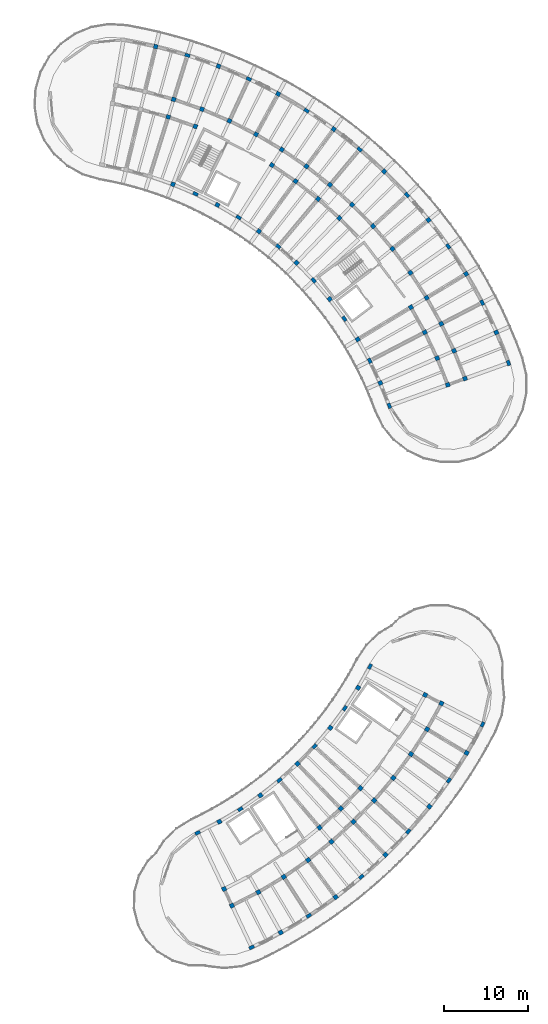
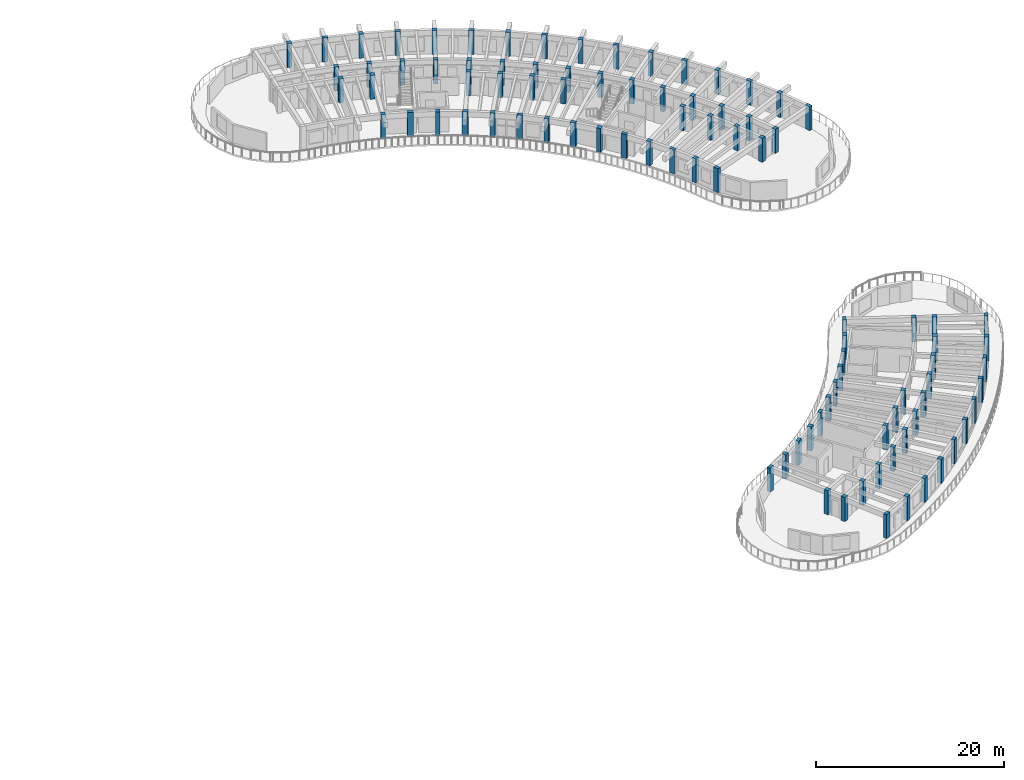
# One storey, part 2 of 56: 93 columns.
"""IFC4 building model written with IfcOpenShell, lengths in metres."""

from ifc_helpers import new_model, si_unit, direction, frame, origin, origin_2d, place, context, subcontext, project, spatial, rectangle, extrude, material, material_profile, profile_set, type_object, element, save


model = new_model("IFC4")

# Units and contexts
model_context = context("Model", 3, precision=1e-05, world=origin(), true_north=direction((0.0, 1.0)))
body_context = subcontext(model_context, "Body", "Model", "MODEL_VIEW")
ifc_project = project(units=[si_unit("LENGTHUNIT", "METRE"), si_unit("AREAUNIT", "SQUARE_METRE"), si_unit("VOLUMEUNIT", "CUBIC_METRE"), si_unit("PLANEANGLEUNIT", "RADIAN"), si_unit("MASSUNIT", "GRAM", prefix="KILO")], contexts=[model_context])

# Site, building, storey
site_placement = place(None, origin())
site = spatial("IfcSite", under=ifc_project, at=site_placement, CompositionType="ELEMENT")
building_placement = place(site_placement, origin())
building = spatial("IfcBuilding", under=site, at=building_placement, Name="Tanwirah Colonnade Gardens", CompositionType="ELEMENT")
storey_placement = place(building_placement, frame((0.0, 0.0, 29.0)))
storey = spatial("IfcBuildingStorey", under=building, at=storey_placement, Name="L08", CompositionType="ELEMENT", Elevation=29.0)

# Columns
ifc_material = material(Name="Precast concrete C40/50", Category="concrete")
ifc_material_profile_1 = material_profile(ifc_material, rectangle(XDim=0.510009765625, YDim=0.510009765625, at=origin_2d()), Name="PC-COL 510x510")
ifc_profile_set_1 = profile_set([ifc_material_profile_1], Name="Precast concrete C40/50")
column_type_1 = type_object("IfcColumnType", Name="C-PC420", PredefinedType="COLUMN", material=ifc_profile_set_1)
for number, where, z_axis, x_axis, name in (
    (1, (143.11767578125, 17.60400390625, 0.0), (0.0, 0.0, 1.0), (0.426568739901, -0.904455145454, 0.0), "Block D L08 Column 3-R1"),
    (2, (144.05615234375, 15.6142578125, 0.0), (0.0, 0.0, 1.0), (0.426568739901, -0.904455145454, 0.0), "Block D L08 Column 3-R2"),
    (3, (142.5498046875, 25.623046875, 0.0), (0.0, 0.0, 1.0), (0.484809620246, -0.874619707139, 0.0), "Block D L08 Column 4-R0"),
    (4, (147.203857421875, 17.226806640625, 0.0), (0.0, 0.0, 1.0), (0.484809620246, -0.874619707139, 0.0), "Block D L08 Column 4-R2"),
    (5, (149.870361328125, 12.41650390625, 0.0), (0.0, 0.0, 1.0), (0.484809620246, -0.874619707139, 0.0), "Block D L08 Column 4-R3"),
    (6, (150.23974609375, 19.041748046875, 0.0), (0.0, 0.0, 1.0), (0.540974471368, -0.841039012964, 0.0), "Block D L08 Column 5-R2"),
    (7, (147.43994140625, 28.7685546875, 0.0), (0.0, 0.0, 1.0), (0.594822786751, -0.803856860617, 0.0), "Block D L08 Column 6-R0"),
    (8, (153.150146484375, 21.051513671875, 0.0), (0.0, 0.0, 1.0), (0.594822786751, -0.803856860617, 0.0), "Block D L08 Column 6-R2"),
    (9, (156.421630859375, 16.63037109375, 0.0), (0.0, 0.0, 1.0), (0.594822786751, -0.803856860617, 0.0), "Block D L08 Column 6-R3"),
    (10, (154.50146484375, 24.926513671875, 0.0), (0.0, 0.0, 1.0), (0.646123979643, -0.763232469783, 0.0), "Block D L08 Column 7-R1"),
    (11, (155.923095703125, 23.247314453125, 0.0), (0.0, 0.0, 1.0), (0.646123979643, -0.763232469783, 0.0), "Block D L08 Column 7-R2"),
    (12, (151.877685546875, 32.525390625, 0.0), (0.0, 0.0, 1.0), (0.694658370459, -0.719339800339, 0.0), "Block D L08 Column 8-R0"),
    (13, (157.01806640625, 27.2021484375, 0.0), (0.0, 0.0, 1.0), (0.694658370459, -0.719339800339, 0.0), "Block D L08 Column 8-R1"),
    (14, (158.54638671875, 25.61962890625, 0.0), (0.0, 0.0, 1.0), (0.694658370459, -0.719339800339, 0.0), "Block D L08 Column 8-R2"),
    (15, (162.366943359375, 21.663330078125, 0.0), (0.0, 0.0, 1.0), (0.694658370459, -0.719339800339, 0.0), "Block D L08 Column 8-R3"),
    (16, (159.38037109375, 29.6376953125, 0.0), (0.0, 0.0, 1.0), (0.740218127487, -0.672366807435, 0.0), "Block D L08 Column 9-R1"),
    (17, (161.0087890625, 28.15869140625, 0.0), (0.0, 0.0, 1.0), (0.740218127487, -0.672366807435, 0.0), "Block D L08 Column 9-R2"),
    (18, (155.786865234375, 36.829345703125, 0.0), (0.0, 0.0, 1.0), (0.782608156852, -0.622514636638, 0.0), "Block D L08 Column 10-R0"),
    (19, (163.300048828125, 30.85302734375, 0.0), (0.0, 0.0, 1.0), (0.782608156852, -0.622514636638, 0.0), "Block D L08 Column 10-R2"),
    (20, (167.604248046875, 27.42919921875, 0.0), (0.0, 0.0, 1.0), (0.782608156852, -0.622514636638, 0.0), "Block D L08 Column 10-R3"),
    (21, (165.409912109375, 33.691650390625, 0.0), (0.0, 0.0, 1.0), (0.821646937942, -0.569996762596, 0.0), "Block D L08 Column 11-R2"),
    (22, (159.10107421875, 41.6064453125, 0.0), (0.0, 0.0, 1.0), (0.857167300702, -0.51503807491, 0.0), "Block D L08 Column 12-R0"),
    (23, (167.329833984375, 36.662109375, 0.0), (0.0, 0.0, 1.0), (0.857167300702, -0.51503807491, 0.0), "Block D L08 Column 12-R2"),
    (24, (172.04443359375, 33.82958984375, 0.0), (0.0, 0.0, 1.0), (0.857167300702, -0.51503807491, 0.0), "Block D L08 Column 12-R3"),
    (25, (167.095458984375, 40.75927734375, 0.0), (0.0, 0.0, 1.0), (0.889017141486, -0.457873915117, 0.0), "Block D L08 Column 13-R1"),
    (26, (169.05126953125, 39.751953125, 0.0), (0.0, 0.0, 1.0), (0.889017141486, -0.457873915117, 0.0), "Block D L08 Column 13-R2"),
):
    element("IfcColumn", number, at=place(storey_placement, frame(where, z_axis=z_axis, x_axis=x_axis)), inside=storey, type_object=column_type_1, Name=name, PredefinedType="COLUMN", context=body_context, shape_type="SweptSolid", body=[
        extrude(rectangle(XDim=0.510009765625, YDim=0.510009765625, at=origin_2d()), origin(), (0.0, 0.0, 1.0), 3.125),
    ])
ifc_material_profile_2 = material_profile(ifc_material, rectangle(XDim=0.5, YDim=0.5, at=origin_2d()), Name="PC-COL 500x500")
ifc_profile_set_2 = profile_set([ifc_material_profile_2], Name="Precast concrete C40/50")
column_type_2 = type_object("IfcColumnType", Name="C-PC500", PredefinedType="COLUMN", material=ifc_profile_set_2)
for number, where, z_axis, x_axis, name in (
    (27, (169.79150390625, 77.74462890625, 0.0), (0.0, 0.0, 1.0), (0.941012076693, 0.338372976931, 0.0), "Block B L08 Column 1-R1"),
    (28, (171.86181640625, 78.489013671875, 0.0), (0.0, 0.0, 1.0), (0.941012076693, 0.338372976931, 0.0), "Block B L08 Column 1-R2"),
    (29, (161.74609375, 77.9638671875, 0.0), (0.0, 0.0, 1.0), (0.916673002238, 0.39963809499, 0.0), "Block B L08 Column 2-R0"),
    (30, (168.529541015625, 80.921142578125, 0.0), (0.0, 0.0, 1.0), (0.916673002238, 0.39963809499, 0.0), "Block B L08 Column 2-R1"),
    (31, (170.546142578125, 81.800537109375, 0.0), (0.0, 0.0, 1.0), (0.916673002238, 0.39963809499, 0.0), "Block B L08 Column 2-R2"),
    (32, (175.587890625, 83.99853515625, 0.0), (0.0, 0.0, 1.0), (0.916673002238, 0.39963809499, 0.0), "Block B L08 Column 2-R3"),
    (33, (167.06103515625, 84.0078125, 0.0), (0.0, 0.0, 1.0), (0.88835024545, 0.459166463723, 0.0), "Block B L08 Column 3-R1"),
    (34, (169.015380859375, 85.01806640625, 0.0), (0.0, 0.0, 1.0), (0.88835024545, 0.459166463723, 0.0), "Block B L08 Column 3-R2"),
    (35, (159.056640625, 83.167236328125, 0.0), (0.0, 0.0, 1.0), (0.856166891514, 0.516699384434, 0.0), "Block B L08 Column 4-R0"),
    (36, (165.392333984375, 86.990966796875, 0.0), (0.0, 0.0, 1.0), (0.856166891514, 0.516699384434, 0.0), "Block B L08 Column 4-R1"),
    (37, (167.27587890625, 88.127685546875, 0.0), (0.0, 0.0, 1.0), (0.856166891514, 0.516699384434, 0.0), "Block B L08 Column 4-R2"),
    (38, (171.984619140625, 90.969482421875, 0.0), (0.0, 0.0, 1.0), (0.856166891514, 0.516699384434, 0.0), "Block B L08 Column 4-R3"),
    (39, (165.335205078125, 91.115966796875, 0.0), (0.0, 0.0, 1.0), (0.820262803018, 0.571986830255, 0.0), "Block B L08 Column 5-R2"),
    (40, (155.706298828125, 87.971923828125, 0.0), (0.0, 0.0, 1.0), (0.780794012137, 0.624788532714, 0.0), "Block B L08 Column 6-R0"),
    (41, (163.201904296875, 93.9697265625, 0.0), (0.0, 0.0, 1.0), (0.780794012137, 0.624788532714, 0.0), "Block B L08 Column 6-R2"),
    (42, (167.496337890625, 97.40625, 0.0), (0.0, 0.0, 1.0), (0.780794012137, 0.624788532714, 0.0), "Block B L08 Column 6-R3"),
    (43, (160.88525390625, 96.677001953125, 0.0), (0.0, 0.0, 1.0), (0.73793204255, 0.674875025896, 0.0), "Block B L08 Column 7-R2"),
    (44, (151.75341796875, 92.294189453125, 0.0), (0.0, 0.0, 1.0), (0.691863164029, 0.722028643656, 0.0), "Block B L08 Column 8-R0"),
    (45, (156.873046875, 97.63720703125, 0.0), (0.0, 0.0, 1.0), (0.691863164029, 0.722028643656, 0.0), "Block B L08 Column 8-R1"),
    (46, (158.395263671875, 99.2255859375, 0.0), (0.0, 0.0, 1.0), (0.691863164029, 0.722028643656, 0.0), "Block B L08 Column 8-R2"),
    (47, (162.200439453125, 103.19677734375, 0.0), (0.0, 0.0, 1.0), (0.691863164029, 0.722028643656, 0.0), "Block B L08 Column 8-R3"),
    (48, (154.32861328125, 99.91943359375, 0.0), (0.0, 0.0, 1.0), (0.642787582947, 0.766044465556, 0.0), "Block B L08 Column 9-R1"),
    (49, (155.74267578125, 101.604736328125, 0.0), (0.0, 0.0, 1.0), (0.642787582947, 0.766044465556, 0.0), "Block B L08 Column 9-R2"),
    (50, (147.266357421875, 96.05908203125, 0.0), (0.0, 0.0, 1.0), (0.590918572221, 0.806731207407, 0.0), "Block B L08 Column 10-R0"),
    (51, (151.63916015625, 102.029052734375, 0.0), (0.0, 0.0, 1.0), (0.590918572221, 0.806731207407, 0.0), "Block B L08 Column 10-R1"),
    (52, (152.939208984375, 103.8037109375, 0.0), (0.0, 0.0, 1.0), (0.590918572221, 0.806731207407, 0.0), "Block B L08 Column 10-R2"),
    (53, (156.189208984375, 108.24072265625, 0.0), (0.0, 0.0, 1.0), (0.590918572221, 0.806731207407, 0.0), "Block B L08 Column 10-R3"),
    (54, (148.816650390625, 103.956787109375, 0.0), (0.0, 0.0, 1.0), (0.536481544469, 0.843912052553, 0.0), "Block B L08 Column 11-R1"),
    (55, (149.996826171875, 105.8134765625, 0.0), (0.0, 0.0, 1.0), (0.536481544469, 0.843912052553, 0.0), "Block B L08 Column 11-R2"),
    (56, (142.3232421875, 99.20166015625, 0.0), (0.0, 0.0, 1.0), (0.479713072413, 0.877425420281, 0.0), "Block B L08 Column 12-R0"),
    (57, (146.928466796875, 107.624755859375, 0.0), (0.0, 0.0, 1.0), (0.479713072413, 0.877425420281, 0.0), "Block B L08 Column 12-R2"),
    (58, (149.56689453125, 112.45068359375, 0.0), (0.0, 0.0, 1.0), (0.479713072413, 0.877425420281, 0.0), "Block B L08 Column 12-R3"),
    (59, (143.74755859375, 109.230224609375, 0.0), (0.0, 0.0, 1.0), (0.420859860775, 0.907125668024, 0.0), "Block B L08 Column 13-R2"),
    (60, (137.010009765625, 101.666748046875, 0.0), (0.0, 0.0, 1.0), (0.36017767415, 0.932883724289, 0.0), "Block B L08 Column 14-R0"),
    (61, (139.67529296875, 108.570068359375, 0.0), (0.0, 0.0, 1.0), (0.36017767415, 0.932883724289, 0.0), "Block B L08 Column 14-R1"),
    (62, (140.467529296875, 110.622314453125, 0.0), (0.0, 0.0, 1.0), (0.36017767415, 0.932883724289, 0.0), "Block B L08 Column 14-R2"),
    (63, (142.448486328125, 115.753173828125, 0.0), (0.0, 0.0, 1.0), (0.36017767415, 0.932883724289, 0.0), "Block B L08 Column 14-R3"),
    (64, (136.44775390625, 109.6953125, 0.0), (0.0, 0.0, 1.0), (0.297930225503, 0.954587649581, 0.0), "Block B L08 Column 15-R1"),
    (65, (137.10302734375, 111.79541015625, 0.0), (0.0, 0.0, 1.0), (0.297930225503, 0.954587649581, 0.0), "Block B L08 Column 15-R2"),
    (66, (134.957763671875, 118.091064453125, 0.0), (0.0, 0.0, 1.0), (0.234388030122, 0.972143122866, 0.0), "Block B L08 Column 16-R3"),
):
    element("IfcColumn", number, at=place(storey_placement, frame(where, z_axis=z_axis, x_axis=x_axis)), inside=storey, type_object=column_type_2, Name=name, PredefinedType="COLUMN", context=body_context, shape_type="SweptSolid", body=[
        extrude(rectangle(XDim=0.5, YDim=0.5, at=origin_2d()), origin(), (0.0, 0.0, 1.0), 3.114990234375),
    ])
ifc_material_profile_3 = material_profile(ifc_material, rectangle(XDim=0.389892578125, YDim=0.6298828125, at=origin_2d()), Name="PC-PIL 390x630")
ifc_profile_set_3 = profile_set([ifc_material_profile_3], Name="Precast concrete C40/50")
column_type_3 = type_object("IfcColumnType", Name="PIL-360", PredefinedType="PILASTER", material=ifc_profile_set_3)
for number, where, z_axis, x_axis, name in (
    (67, (162.827880859375, 75.24072265625, 0.0), (0.0, 0.0, 1.0), (0.941012076693, 0.338372976931, 0.0), "Block B L08 Column 1-R0"),
    (68, (177.037353515625, 80.35009765625, 0.0), (0.0, 0.0, 1.0), (0.941012076693, 0.338372976931, 0.0), "Block B L08 Column 1-R3"),
    (69, (160.487060546875, 80.60986328125, 0.0), (0.0, 0.0, 1.0), (0.88835024545, 0.459166463723, 0.0), "Block B L08 Column 3-R0"),
    (70, (173.9013671875, 87.54345703125, 0.0), (0.0, 0.0, 1.0), (0.88835024545, 0.459166463723, 0.0), "Block B L08 Column 3-R3"),
    (71, (157.460693359375, 85.624755859375, 0.0), (0.0, 0.0, 1.0), (0.820262803018, 0.571986830255, 0.0), "Block B L08 Column 5-R0"),
    (72, (169.8466796875, 94.26171875, 0.0), (0.0, 0.0, 1.0), (0.820262803018, 0.571986830255, 0.0), "Block B L08 Column 5-R3"),
    (73, (153.801025390625, 90.1982421875, 0.0), (0.0, 0.0, 1.0), (0.73793204255, 0.674875025896, 0.0), "Block B L08 Column 7-R0"),
    (74, (164.94384765625, 100.388916015625, 0.0), (0.0, 0.0, 1.0), (0.73793204255, 0.674875025896, 0.0), "Block B L08 Column 7-R3"),
    (75, (149.572021484375, 94.250732421875, 0.0), (0.0, 0.0, 1.0), (0.642787582947, 0.766044465556, 0.0), "Block B L08 Column 9-R0"),
    (76, (159.278076171875, 105.81787109375, 0.0), (0.0, 0.0, 1.0), (0.642787582947, 0.766044465556, 0.0), "Block B L08 Column 9-R3"),
    (77, (144.8466796875, 97.7119140625, 0.0), (0.0, 0.0, 1.0), (0.536481544469, 0.843912052553, 0.0), "Block B L08 Column 11-R0"),
    (78, (152.947509765625, 110.455078125, 0.0), (0.0, 0.0, 1.0), (0.536481544469, 0.843912052553, 0.0), "Block B L08 Column 11-R3"),
    (79, (139.707275390625, 100.521728515625, 0.0), (0.0, 0.0, 1.0), (0.420859860775, 0.907125668024, 0.0), "Block B L08 Column 13-R0"),
    (80, (146.062255859375, 114.21923828125, 0.0), (0.0, 0.0, 1.0), (0.420859860775, 0.907125668024, 0.0), "Block B L08 Column 13-R3"),
    (81, (138.74169921875, 117.045654296875, 0.0), (0.0, 0.0, 1.0), (0.297930225503, 0.954587649581, 0.0), "Block B L08 Column 15-R3"),
):
    element("IfcColumn", number, at=place(storey_placement, frame(where, z_axis=z_axis, x_axis=x_axis)), inside=storey, type_object=column_type_3, Name=name, PredefinedType="PILASTER", context=body_context, shape_type="SweptSolid", body=[
        extrude(rectangle(XDim=0.389892578125, YDim=0.6298828125, at=origin_2d()), origin(), (0.0, 0.0, 1.0), 3.114990234375),
    ])
for number, where, z_axis, x_axis, name in (
    (82, (139.9609375, 24.296875, 0.0), (0.0, 0.0, 1.0), (0.426568739901, -0.904455145454, 0.0), "Block D L08 Column 3-R0"),
    (83, (146.402099609375, 10.6396484375, 0.0), (0.0, 0.0, 1.0), (0.426568739901, -0.904455145454, 0.0), "Block D L08 Column 3-R3"),
    (84, (145.04638671875, 27.11572265625, 0.0), (0.0, 0.0, 1.0), (0.540974471368, -0.841039012964, 0.0), "Block D L08 Column 5-R0"),
    (85, (153.215087890625, 14.416015625, 0.0), (0.0, 0.0, 1.0), (0.540974471368, -0.841039012964, 0.0), "Block D L08 Column 5-R3"),
    (86, (149.72021484375, 30.57421875, 0.0), (0.0, 0.0, 1.0), (0.646123979643, -0.763232469783, 0.0), "Block D L08 Column 7-R0"),
    (87, (159.4765625, 19.049560546875, 0.0), (0.0, 0.0, 1.0), (0.646123979643, -0.763232469783, 0.0), "Block D L08 Column 7-R3"),
    (88, (153.902587890625, 34.61328125, 0.0), (0.0, 0.0, 1.0), (0.740218127487, -0.672366807435, 0.0), "Block D L08 Column 9-R0"),
    (89, (165.080078125, 24.46044921875, 0.0), (0.0, 0.0, 1.0), (0.740218127487, -0.672366807435, 0.0), "Block D L08 Column 9-R3"),
    (90, (157.522216796875, 39.16357421875, 0.0), (0.0, 0.0, 1.0), (0.821646937942, -0.569996762596, 0.0), "Block D L08 Column 11-R0"),
    (91, (169.928955078125, 30.556640625, 0.0), (0.0, 0.0, 1.0), (0.821646937942, -0.569996762596, 0.0), "Block D L08 Column 11-R3"),
    (92, (160.516845703125, 44.1474609375, 0.0), (0.0, 0.0, 1.0), (0.889017141486, -0.457873915117, 0.0), "Block D L08 Column 13-R0"),
    (93, (173.94091796875, 37.233642578125, 0.0), (0.0, 0.0, 1.0), (0.889017141486, -0.457873915117, 0.0), "Block D L08 Column 13-R3"),
):
    element("IfcColumn", number, at=place(storey_placement, frame(where, z_axis=z_axis, x_axis=x_axis)), inside=storey, type_object=column_type_3, Name=name, PredefinedType="PILASTER", context=body_context, shape_type="SweptSolid", body=[
        extrude(rectangle(XDim=0.389892578125, YDim=0.6298828125, at=origin_2d()), origin(), (0.0, 0.0, 1.0), 3.125),
    ])

save(model, "model.ifc")
